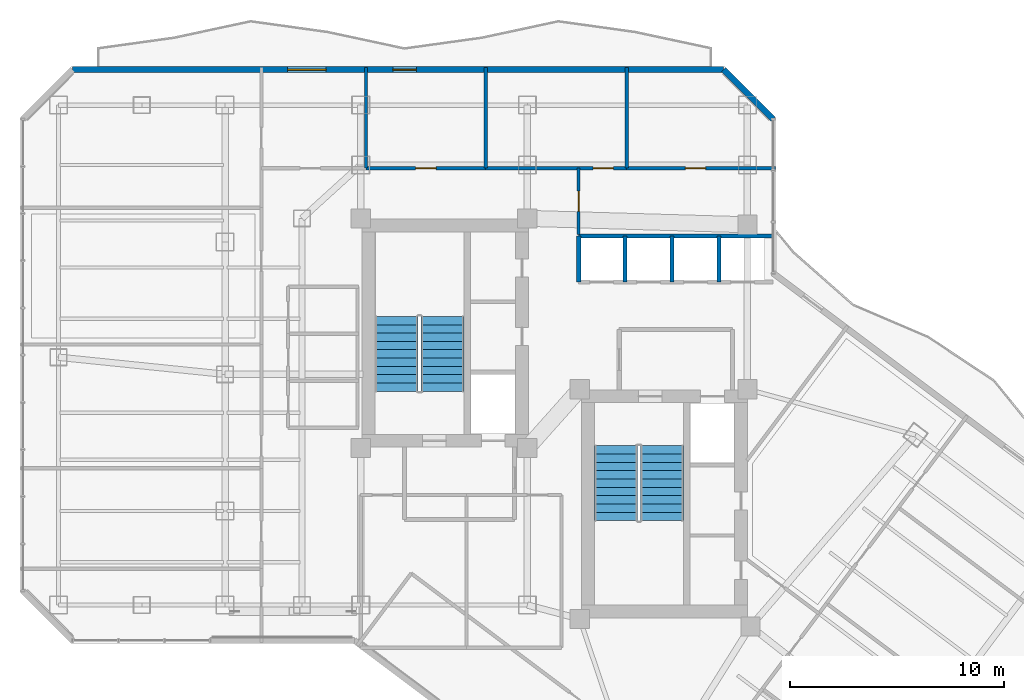
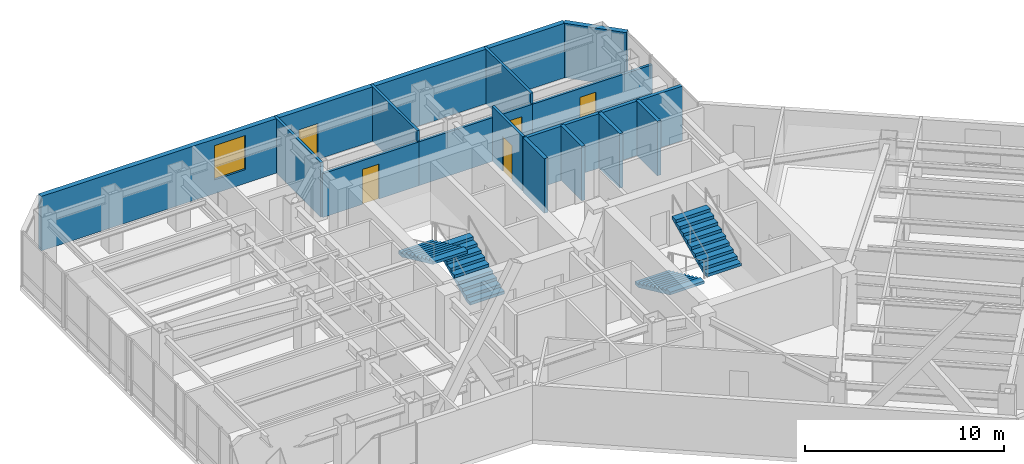
# One storey, part 24 of 27: 14 walls, 5 doors, 4 stair flights, 1 window, 6 openings, 2 elements without a shape of their own.
"""IFC4 building model written with IfcOpenShell, lengths in metres."""

from ifc_helpers import new_model, si_unit, direction, frame, frame_2d, origin, place, context, subcontext, project, spatial, polyline, rectangle, outline, extrude, material, layer, layer_set, type_object, element, fill, aggregate, save


model = new_model("IFC4")

# Units and contexts
model_context = context("Model", 3, precision=1e-05, world=origin(), true_north=direction((0.0, 1.0)))
body_context = subcontext(model_context, "Body", "Model", "MODEL_VIEW")
ifc_project = project(units=[si_unit("LENGTHUNIT", "METRE"), si_unit("AREAUNIT", "SQUARE_METRE"), si_unit("VOLUMEUNIT", "CUBIC_METRE"), si_unit("PLANEANGLEUNIT", "RADIAN"), si_unit("MASSUNIT", "GRAM", prefix="KILO")], contexts=[model_context])

# Site, building, storey
site_placement = place(None, origin())
site = spatial("IfcSite", under=ifc_project, at=site_placement, CompositionType="ELEMENT")
building_placement = place(site_placement, origin())
building = spatial("IfcBuilding", under=site, at=building_placement, Name="Hatsunagi Terrace Concourse", CompositionType="ELEMENT")
storey_placement = place(building_placement, frame((0.0, 0.0, 145.64990234375)))
storey = spatial("IfcBuildingStorey", under=building, at=storey_placement, Name="L38", CompositionType="ELEMENT", Elevation=145.64990234375)

# Wall
ifc_material_1 = material(Name="Acoustic mineral board", Category="gypsum")
ifc_layer_1 = layer(ifc_material_1, 0.14990234375)
ifc_layer_set_1 = layer_set([ifc_layer_1], Name="PartitionWall_EI60_150")
wall_type_1 = type_object("IfcWallType", Name="PartitionWall_EI60_150", PredefinedType="PARTITIONING", material=ifc_layer_set_1)
wall_1_placement = place(storey_placement, frame((25.800048828125, 45.64990234375, 0.0), z_axis=(0.0, 0.0, 1.0), x_axis=(0.0, 1.0, 0.0)))
element("IfcWall", 1, at=wall_1_placement, inside=storey, type_object=wall_type_1, Name="Interior Partition IW-L38-042", PredefinedType="PARTITIONING", context=body_context, shape_type="SweptSolid", body=[
    extrude(rectangle(XDim=4.710205078125, YDim=0.14990234375, at=frame_2d((2.35498046875, 0.0))), origin(), (0.0, 0.0, 1.0), 3.35009765625),
])

# Wall, opening, door
wall_2_placement = place(storey_placement, frame((25.800048828125, 45.64990234375, 0.0), z_axis=(0.0, 0.0, 1.0), x_axis=(1.0, 0.0, 0.0)))
wall_2 = element("IfcWall", 2, at=wall_2_placement, inside=storey, type_object=wall_type_1, Name="Interior Partition IW-L38-043", PredefinedType="PARTITIONING", context=body_context, shape_type="SweptSolid", body=[
    extrude(rectangle(XDim=5.599853515625, YDim=0.14990234375, at=frame_2d((2.7998046875, 0.0))), origin(), (0.0, 0.0, 1.0), 2.695068359375),
])
opening_1_placement = place(wall_2_placement, frame((2.324951171875, 0.0, 0.0)))
opening_1 = element("IfcOpeningElement", 3, at=opening_1_placement, cuts=wall_2, Name="Opening DR-095", PredefinedType="OPENING", context=body_context, shape_type="SweptSolid", body=[
    extrude(rectangle(XDim=0.949951171875, YDim=2.14990234375, at=frame_2d((0.47509765625, 1.074951171875))), frame((0.0, 0.0849609375, 0.0), z_axis=(0.0, -1.0, 0.0), x_axis=(1.0, 0.0, 0.0)), (0.0, 0.0, 1.0), 0.169921875),
])
ifc_material_2 = material(Name="Hardwood timber", Category="wood")
door_type_1 = type_object("IfcDoorType", Name="InteriorSuiteDoor_EI30_950", OperationType="NOTDEFINED", PredefinedType="DOOR", material=ifc_material_2)
door_1_placement = place(opening_1_placement, origin())
door_1 = element("IfcDoor", 4, at=door_1_placement, inside=storey, type_object=door_type_1, Name="Client Consultation Room L38-ON2 Door", OperationType="SINGLE_SWING_RIGHT", OverallHeight=2.14990234375, OverallWidth=0.949951171875, PredefinedType="DOOR", context=body_context, shape_type="SweptSolid", body=[
    extrude(rectangle(XDim=0.949951171875, YDim=2.14990234375, at=frame_2d((0.47509765625, 1.074951171875))), frame((0.0, 0.02490234375, 0.0), z_axis=(0.0, -1.0, 0.0), x_axis=(1.0, 0.0, 0.0)), (0.0, 0.0, 1.0), 0.050048828125),
])
fill(opening_1, door_1)

# Wall
wall_3_placement = place(storey_placement, frame((31.39990234375, 45.64990234375, 0.0), z_axis=(0.0, 0.0, 1.0), x_axis=(0.0, 1.0, 0.0)))
element("IfcWall", 5, at=wall_3_placement, inside=storey, type_object=wall_type_1, Name="Interior Partition IW-L38-044", PredefinedType="PARTITIONING", context=body_context, shape_type="SweptSolid", body=[
    extrude(rectangle(XDim=4.710205078125, YDim=0.14990234375, at=frame_2d((2.35498046875, 0.0))), origin(), (0.0, 0.0, 1.0), 3.35009765625),
])

# Wall, opening, door
wall_4_placement = place(storey_placement, frame((31.39990234375, 45.64990234375, 0.0), z_axis=(0.0, 0.0, 1.0), x_axis=(1.0, 0.0, 0.0)))
wall_4 = element("IfcWall", 6, at=wall_4_placement, inside=storey, type_object=wall_type_1, Name="Interior Partition IW-L38-045", PredefinedType="PARTITIONING", context=body_context, shape_type="SweptSolid", body=[
    extrude(rectangle(XDim=6.60009765625, YDim=0.14990234375, at=frame_2d((3.300048828125, 0.0))), origin(), (0.0, 0.0, 1.0), 2.695068359375),
])
opening_2_placement = place(wall_4_placement, frame((5.02587890625, 0.0, 0.0)))
opening_2 = element("IfcOpeningElement", 7, at=opening_2_placement, cuts=wall_4, Name="Opening DR-095", PredefinedType="OPENING", context=body_context, shape_type="SweptSolid", body=[
    extrude(rectangle(XDim=0.949951171875, YDim=2.14990234375, at=frame_2d((0.47509765625, 1.074951171875))), frame((0.0, 0.0849609375, 0.0), z_axis=(0.0, -1.0, 0.0), x_axis=(1.0, 0.0, 0.0)), (0.0, 0.0, 1.0), 0.169921875),
])
door_2_placement = place(opening_2_placement, origin())
door_2 = element("IfcDoor", 8, at=door_2_placement, inside=storey, type_object=door_type_1, Name="Meeting Room L38-ON3 Door", OperationType="SINGLE_SWING_RIGHT", OverallHeight=2.14990234375, OverallWidth=0.949951171875, PredefinedType="DOOR", context=body_context, shape_type="SweptSolid", body=[
    extrude(rectangle(XDim=0.949951171875, YDim=2.14990234375, at=frame_2d((0.47509765625, 1.074951171875))), frame((0.0, 0.02490234375, 0.0), z_axis=(0.0, -1.0, 0.0), x_axis=(1.0, 0.0, 0.0)), (0.0, 0.0, 1.0), 0.050048828125),
])
fill(opening_2, door_2)

# Wall
wall_5_placement = place(storey_placement, frame((38.0, 45.64990234375, 0.0), z_axis=(0.0, 0.0, 1.0), x_axis=(0.0, 1.0, 0.0)))
element("IfcWall", 9, at=wall_5_placement, inside=storey, type_object=wall_type_1, Name="Interior Partition IW-L38-046", PredefinedType="PARTITIONING", context=body_context, shape_type="SweptSolid", body=[
    extrude(rectangle(XDim=4.710205078125, YDim=0.14990234375, at=frame_2d((2.35498046875, 0.0))), origin(), (0.0, 0.0, 1.0), 3.35009765625),
])

# Wall, opening, door
wall_6_placement = place(storey_placement, frame((38.0, 45.64990234375, 0.0), z_axis=(0.0, 0.0, 1.0), x_axis=(1.0, 0.0, 0.0)))
wall_6 = element("IfcWall", 10, at=wall_6_placement, inside=storey, type_object=wall_type_1, Name="Interior Partition IW-L38-047", PredefinedType="PARTITIONING", context=body_context, shape_type="SweptSolid", body=[
    extrude(rectangle(XDim=6.9599609375, YDim=0.14990234375, at=frame_2d((3.47998046875, 0.0))), origin(), (0.0, 0.0, 1.0), 2.695068359375),
])
opening_3_placement = place(wall_6_placement, frame((2.742919921875, 0.0, 0.0)))
opening_3 = element("IfcOpeningElement", 11, at=opening_3_placement, cuts=wall_6, Name="Opening DR-095", PredefinedType="OPENING", context=body_context, shape_type="SweptSolid", body=[
    extrude(rectangle(XDim=0.949951171875, YDim=2.14990234375, at=frame_2d((0.47509765625, 1.074951171875))), frame((0.0, 0.0849609375, 0.0), z_axis=(0.0, -1.0, 0.0), x_axis=(1.0, 0.0, 0.0)), (0.0, 0.0, 1.0), 0.169921875),
])
door_3_placement = place(opening_3_placement, origin())
door_3 = element("IfcDoor", 12, at=door_3_placement, inside=storey, type_object=door_type_1, Name="Client Consultation Room L38-ON4 Door", OperationType="SINGLE_SWING_RIGHT", OverallHeight=2.14990234375, OverallWidth=0.949951171875, PredefinedType="DOOR", context=body_context, shape_type="SweptSolid", body=[
    extrude(rectangle(XDim=0.949951171875, YDim=2.14990234375, at=frame_2d((0.47509765625, 1.074951171875))), frame((0.0, 0.02490234375, 0.0), z_axis=(0.0, -1.0, 0.0), x_axis=(1.0, 0.0, 0.0)), (0.0, 0.0, 1.0), 0.050048828125),
])
fill(opening_3, door_3)

wall_7_placement = place(storey_placement, frame((35.75, 42.550048828125, 0.0), z_axis=(0.0, 0.0, 1.0), x_axis=(0.0, 1.0, 0.0)))
wall_7 = element("IfcWall", 13, at=wall_7_placement, inside=storey, type_object=wall_type_1, Name="Interior Partition IW-L38-058", PredefinedType="PARTITIONING", context=body_context, shape_type="SweptSolid", body=[
    extrude(rectangle(XDim=3.099853515625, YDim=0.14990234375, at=frame_2d((1.5498046875, 0.0))), origin(), (0.0, 0.0, 1.0), 3.35009765625),
])
opening_4_placement = place(wall_7_placement, frame((1.074951171875, 0.0, 0.0)))
opening_4 = element("IfcOpeningElement", 14, at=opening_4_placement, cuts=wall_7, Name="Opening DR-095", PredefinedType="OPENING", context=body_context, shape_type="SweptSolid", body=[
    extrude(rectangle(XDim=0.949951171875, YDim=2.14990234375, at=frame_2d((0.47509765625, 1.074951171875))), frame((0.0, 0.0849609375, 0.0), z_axis=(0.0, -1.0, 0.0), x_axis=(1.0, 0.0, 0.0)), (0.0, 0.0, 1.0), 0.169921875),
])
door_4_placement = place(opening_4_placement, origin())
door_4 = element("IfcDoor", 15, at=door_4_placement, inside=storey, type_object=door_type_1, Name="Executive Briefing Room L38-ONEB Door", OperationType="SINGLE_SWING_RIGHT", OverallHeight=2.14990234375, OverallWidth=0.949951171875, PredefinedType="DOOR", context=body_context, shape_type="SweptSolid", body=[
    extrude(rectangle(XDim=0.949951171875, YDim=2.14990234375, at=frame_2d((0.47509765625, 1.074951171875))), frame((0.0, 0.02490234375, 0.0), z_axis=(0.0, -1.0, 0.0), x_axis=(1.0, 0.0, 0.0)), (0.0, 0.0, 1.0), 0.050048828125),
])
fill(opening_4, door_4)

# Walls
ifc_material_3 = material(Name="Acoustic mineral board", Category="gypsum")
ifc_layer_2 = layer(ifc_material_3, 0.199951171875)
ifc_layer_set_2 = layer_set([ifc_layer_2], Name="ShaftWall_EI120_200")
wall_type_2 = type_object("IfcWallType", Name="ShaftWall_EI120_200", PredefinedType="STANDARD", material=ifc_layer_set_2)
wall_8_placement = place(storey_placement, frame((35.75, 42.47998046875, 0.0), z_axis=(0.0, 0.0, 1.0), x_axis=(1.0, 0.0, 0.0)))
element("IfcWall", 16, at=wall_8_placement, inside=storey, type_object=wall_type_2, Name="Interior Partition IW-L38-011", PredefinedType="STANDARD", context=body_context, shape_type="SweptSolid", body=[
    extrude(rectangle(XDim=9.110107421875, YDim=0.199951171875, at=frame_2d((4.55517578125, 0.0))), origin(), (0.0, 0.0, 1.0), 3.35009765625),
])
for number, where, z_axis, x_axis, name in (
    (17, (35.75, 40.320068359375, 0.0), (0.0, 0.0, 1.0), (0.0, 1.0, 0.0), "Interior Partition IW-L38-012"),
    (18, (37.919921875, 40.320068359375, 0.0), (0.0, 0.0, 1.0), (0.0, 1.0, 0.0), "Interior Partition IW-L38-013"),
    (19, (40.1201171875, 40.320068359375, 0.0), (0.0, 0.0, 1.0), (0.0, 1.0, 0.0), "Interior Partition IW-L38-014"),
    (20, (42.320068359375, 40.320068359375, 0.0), (0.0, 0.0, 1.0), (0.0, 1.0, 0.0), "Interior Partition IW-L38-015"),
):
    element("IfcWall", number, at=place(storey_placement, frame(where, z_axis=z_axis, x_axis=x_axis)), inside=storey, type_object=wall_type_2, Name=name, PredefinedType="STANDARD", context=body_context, shape_type="SweptSolid", body=[
        extrude(rectangle(XDim=2.159912109375, YDim=0.199951171875, at=frame_2d((1.080078125, 0.0))), origin(), (0.0, 0.0, 1.0), 3.35009765625),
    ])

# Wall, openings, door, window
ifc_material_4 = material(Name="Autoclaved Lightweight Concrete and Terracotta Cladding", Category="masonry")
ifc_layer_3 = layer(ifc_material_4, 0.280029296875)
ifc_layer_set_3 = layer_set([ifc_layer_3], Name="TerracottaSpandrelWall_280")
wall_type_3 = type_object("IfcWallType", Name="TerracottaSpandrelWall_280", PredefinedType="STANDARD", material=ifc_layer_set_3)
wall_9_placement = place(storey_placement, frame((12.05810546875, 50.260009765625, 0.0), z_axis=(0.0, 0.0, 1.0), x_axis=(1.0, 0.0, 0.0)))
wall_9 = element("IfcWall", 21, at=wall_9_placement, inside=storey, type_object=wall_type_3, Name="Exterior Spandrel Wall EW-L38-11", PredefinedType="STANDARD", context=body_context, shape_type="SweptSolid", body=[
    extrude(rectangle(XDim=30.48388671875, YDim=0.280029296875, at=frame_2d((15.241943359375, 0.0))), origin(), (0.0, 0.0, 1.0), 3.35009765625),
])
opening_5_placement = place(wall_9_placement, frame((14.991943359375, 0.0, 0.0)))
opening_5 = element("IfcOpeningElement", 22, at=opening_5_placement, cuts=wall_9, Name="Opening BD-01", PredefinedType="OPENING", context=body_context, shape_type="SweptSolid", body=[
    extrude(rectangle(XDim=1.10009765625, YDim=2.199951171875, at=frame_2d((0.550048828125, 1.10009765625))), frame((0.0, 0.14990234375, 0.0), z_axis=(0.0, -1.0, 0.0), x_axis=(1.0, 0.0, 0.0)), (0.0, 0.0, 1.0), 0.300048828125),
])
opening_6_placement = place(wall_9_placement, frame((10.073974609375, 0.0, 0.85009765625)))
opening_6 = element("IfcOpeningElement", 23, at=opening_6_placement, cuts=wall_9, Name="Opening WIN-03", PredefinedType="OPENING", context=body_context, shape_type="SweptSolid", body=[
    extrude(rectangle(XDim=1.800048828125, YDim=2.10009765625, at=frame_2d((0.89990234375, 1.050048828125))), frame((0.0, 0.14990234375, 0.0), z_axis=(0.0, -1.0, 0.0), x_axis=(1.0, 0.0, 0.0)), (0.0, 0.0, 1.0), 0.300048828125),
])
ifc_material_5 = material(Name="Galvanised Steel and Laminated Safety Glass", Category="steel")
door_type_2 = type_object("IfcDoorType", Name="BalconyTerraceAccessDoor_1100x2200", OperationType="SINGLE_SWING_LEFT", PredefinedType="DOOR", material=ifc_material_5)
door_5_placement = place(opening_5_placement, origin())
door_5 = element("IfcDoor", 24, at=door_5_placement, inside=storey, type_object=door_type_2, Name="Engawa Balcony Door L38-BN", OperationType="SINGLE_SWING_RIGHT", OverallHeight=2.199951171875, OverallWidth=1.10009765625, PredefinedType="DOOR", context=body_context, shape_type="SweptSolid", body=[
    extrude(rectangle(XDim=1.10009765625, YDim=2.199951171875, at=frame_2d((0.550048828125, 1.10009765625))), frame((0.0, 0.02490234375, 0.0), z_axis=(0.0, -1.0, 0.0), x_axis=(1.0, 0.0, 0.0)), (0.0, 0.0, 1.0), 0.050048828125),
])
fill(opening_5, door_5)
ifc_material_6 = material(Name="Thermally Broken Aluminium and Low-E Triple Glazing", Category="aluminium")
window_type = type_object("IfcWindowType", Name="OfficeCornerFeatureWindow_1800x2100", PartitioningType="SINGLE_PANEL", PredefinedType="WINDOW", material=ifc_material_6)
window_placement = place(opening_6_placement, origin())
window = element("IfcWindow", 25, at=window_placement, inside=storey, type_object=window_type, Name="Balcony Daylighting Window L38-11-1", OverallHeight=2.10009765625, OverallWidth=1.800048828125, PartitioningType="SINGLE_PANEL", PredefinedType="WINDOW", context=body_context, shape_type="SweptSolid", body=[
    extrude(rectangle(XDim=1.800048828125, YDim=2.10009765625, at=frame_2d((0.89990234375, 1.050048828125))), frame((0.0, 0.030029296875, 0.0), z_axis=(0.0, -1.0, 0.0), x_axis=(1.0, 0.0, 0.0)), (0.0, 0.0, 1.0), 0.06005859375),
])
fill(opening_6, window)

# Wall
wall_10_placement = place(storey_placement, frame((42.5419921875, 50.260009765625, 0.0), z_axis=(0.0, 0.0, 1.0), x_axis=(0.707106781187, -0.707106781187, 0.0)))
element("IfcWall", 26, at=wall_10_placement, inside=storey, type_object=wall_type_3, Name="Exterior Spandrel Wall EW-L38-12", PredefinedType="STANDARD", context=body_context, shape_type="SweptSolid", body=[
    extrude(rectangle(XDim=3.2783203125, YDim=0.280029296875, at=frame_2d((1.63916015625, 0.0))), origin(), (0.0, 0.0, 1.0), 3.35009765625),
])

# Stair, stair flights
ifc_material_7 = material(Name="Concrete Fc42", Category="concrete")
stair_type = type_object("IfcStairType", Name="DoglegExitStair_Tower2000_20R_180", PredefinedType="HALF_TURN_STAIR", material=ifc_material_7)
stair_1_placement = place(storey_placement, origin())
stair_1 = element("IfcStair", 27, at=stair_1_placement, inside=storey, type_object=stair_type, Name="L38 Core A Protected Exit Stair ST-A", PredefinedType="HALF_TURN_STAIR")
ifc_material_8 = material(Name="Concrete Fc42", Category="concrete")
stair_flight_type = type_object("IfcStairFlightType", Name="DoglegStairFlight_Tower2000_20R_180", PredefinedType="STRAIGHT", material=ifc_material_8)
stair_flight_1_placement = place(storey_placement, frame((29.3798828125, 35.199951171875, 0.0), z_axis=(0.0, 0.0, 1.0), x_axis=(0.0, 1.0, 0.0)))
stair_flight_1 = element("IfcStairFlight", 28, at=stair_flight_1_placement, type_object=stair_flight_type, Name="ST-A flight 1", NumberOfRisers=10, NumberOfTreads=9, PredefinedType="STRAIGHT", RiserHeight=0.18, TreadLength=0.39, context=body_context, shape_type="SweptSolid", body=[
    extrude(outline(polyline([(0.0, 0.0), (0.0, 0.179931640625), (0.389892578125, 0.179931640625), (0.389892578125, 0.360107421875), (0.780029296875, 0.360107421875), (0.780029296875, 0.5400390625), (1.169921875, 0.5400390625), (1.169921875, 0.719970703125), (1.56005859375, 0.719970703125), (1.56005859375, 0.89990234375), (1.949951171875, 0.89990234375), (1.949951171875, 1.080078125), (2.340087890625, 1.080078125), (2.340087890625, 1.260009765625), (2.72998046875, 1.260009765625), (2.72998046875, 1.43994140625), (3.1201171875, 1.43994140625), (3.1201171875, 1.6201171875), (3.510009765625, 1.6201171875), (3.510009765625, 1.800048828125), (3.510009765625, 1.454833984375), (0.357666015625, 0.0), (0.0, 0.0)])), frame((0.0, 1.0, 0.0), z_axis=(0.0, -1.0, 0.0), x_axis=(1.0, 0.0, 0.0)), (0.0, 0.0, 1.0), 2.0),
])
stair_flight_2_placement = place(storey_placement, frame((27.22998046875, 38.7099609375, 1.800048828125), z_axis=(0.0, 0.0, 1.0), x_axis=(0.0, -1.0, 0.0)))
stair_flight_2 = element("IfcStairFlight", 29, at=stair_flight_2_placement, type_object=stair_flight_type, Name="ST-A flight 2", NumberOfRisers=10, NumberOfTreads=9, PredefinedType="STRAIGHT", RiserHeight=0.18, TreadLength=0.39, context=body_context, shape_type="SweptSolid", body=[
    extrude(outline(polyline([(0.0, 0.0), (0.0, 0.179931640625), (0.389892578125, 0.179931640625), (0.389892578125, 0.360107421875), (0.780029296875, 0.360107421875), (0.780029296875, 0.5400390625), (1.169921875, 0.5400390625), (1.169921875, 0.719970703125), (1.56005859375, 0.719970703125), (1.56005859375, 0.89990234375), (1.949951171875, 0.89990234375), (1.949951171875, 1.080078125), (2.340087890625, 1.080078125), (2.340087890625, 1.260009765625), (2.72998046875, 1.260009765625), (2.72998046875, 1.43994140625), (3.1201171875, 1.43994140625), (3.1201171875, 1.6201171875), (3.510009765625, 1.6201171875), (3.510009765625, 1.800048828125), (3.510009765625, 1.454833984375), (0.357666015625, 0.0), (0.0, 0.0)])), frame((0.0, 1.0, 0.0), z_axis=(0.0, -1.0, 0.0), x_axis=(1.0, 0.0, 0.0)), (0.0, 0.0, 1.0), 2.0),
])
aggregate(stair_1, [stair_flight_1, stair_flight_2])

stair_2_placement = place(storey_placement, origin())
stair_2 = element("IfcStair", 30, at=stair_2_placement, inside=storey, type_object=stair_type, Name="L38 Core B Protected Exit Stair ST-B", PredefinedType="HALF_TURN_STAIR")
stair_flight_3_placement = place(storey_placement, frame((37.5, 32.659912109375, 0.0), z_axis=(0.0, 0.0, 1.0), x_axis=(0.0, -1.0, 0.0)))
stair_flight_3 = element("IfcStairFlight", 31, at=stair_flight_3_placement, type_object=stair_flight_type, Name="ST-B flight 1", NumberOfRisers=10, NumberOfTreads=9, PredefinedType="STRAIGHT", RiserHeight=0.18, TreadLength=0.39, context=body_context, shape_type="SweptSolid", body=[
    extrude(outline(polyline([(0.0, 0.0), (0.0, 0.179931640625), (0.389892578125, 0.179931640625), (0.389892578125, 0.360107421875), (0.780029296875, 0.360107421875), (0.780029296875, 0.5400390625), (1.169921875, 0.5400390625), (1.169921875, 0.719970703125), (1.56005859375, 0.719970703125), (1.56005859375, 0.89990234375), (1.949951171875, 0.89990234375), (1.949951171875, 1.080078125), (2.340087890625, 1.080078125), (2.340087890625, 1.260009765625), (2.72998046875, 1.260009765625), (2.72998046875, 1.43994140625), (3.1201171875, 1.43994140625), (3.1201171875, 1.6201171875), (3.510009765625, 1.6201171875), (3.510009765625, 1.800048828125), (3.510009765625, 1.454833984375), (0.357666015625, 0.0), (0.0, 0.0)])), frame((0.0, 1.0, 0.0), z_axis=(0.0, -1.0, 0.0), x_axis=(1.0, 0.0, 0.0)), (0.0, 0.0, 1.0), 2.0),
])
stair_flight_4_placement = place(storey_placement, frame((39.64990234375, 29.14990234375, 1.800048828125), z_axis=(0.0, 0.0, 1.0), x_axis=(0.0, 1.0, 0.0)))
stair_flight_4 = element("IfcStairFlight", 32, at=stair_flight_4_placement, type_object=stair_flight_type, Name="ST-B flight 2", NumberOfRisers=10, NumberOfTreads=9, PredefinedType="STRAIGHT", RiserHeight=0.18, TreadLength=0.39, context=body_context, shape_type="SweptSolid", body=[
    extrude(outline(polyline([(0.0, 0.0), (0.0, 0.179931640625), (0.389892578125, 0.179931640625), (0.389892578125, 0.360107421875), (0.780029296875, 0.360107421875), (0.780029296875, 0.5400390625), (1.169921875, 0.5400390625), (1.169921875, 0.719970703125), (1.56005859375, 0.719970703125), (1.56005859375, 0.89990234375), (1.949951171875, 0.89990234375), (1.949951171875, 1.080078125), (2.340087890625, 1.080078125), (2.340087890625, 1.260009765625), (2.72998046875, 1.260009765625), (2.72998046875, 1.43994140625), (3.1201171875, 1.43994140625), (3.1201171875, 1.6201171875), (3.510009765625, 1.6201171875), (3.510009765625, 1.800048828125), (3.510009765625, 1.454833984375), (0.357666015625, 0.0), (0.0, 0.0)])), frame((0.0, 1.0, 0.0), z_axis=(0.0, -1.0, 0.0), x_axis=(1.0, 0.0, 0.0)), (0.0, 0.0, 1.0), 2.0),
])
aggregate(stair_2, [stair_flight_3, stair_flight_4])

save(model, "model.ifc")
